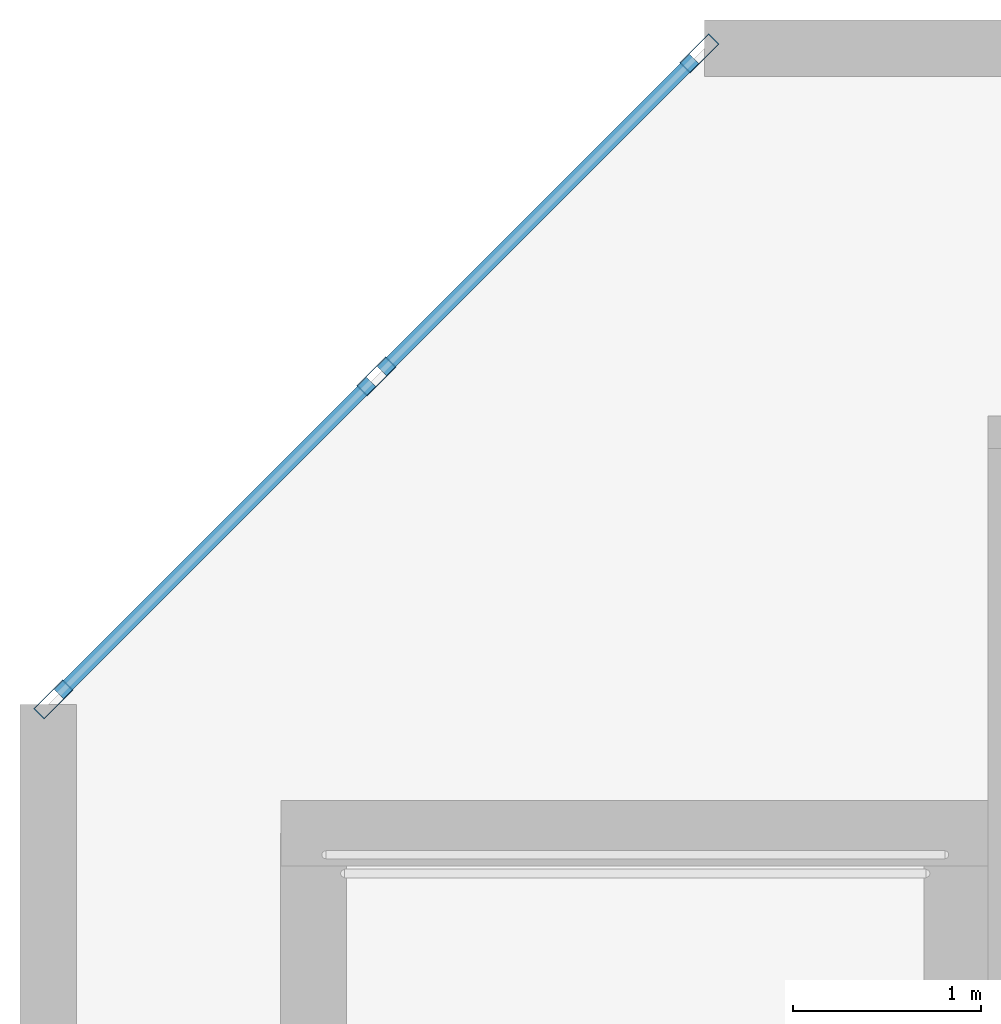
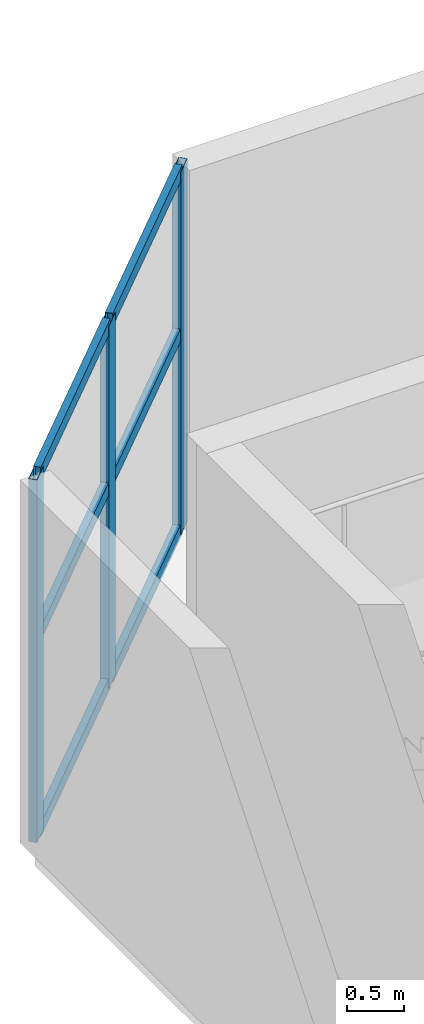
# One storey, part 5 of 20: 9 members, 1 element without a shape of its own.
"""IFC4 building model written with IfcOpenShell, lengths in metres."""

from ifc_helpers import new_model, si_unit, direction, frame, origin, origin_2d, place, context, subcontext, project, spatial, hollow_rectangle, extrude, material, layer, layer_set, material_profile, profile_set, type_object, element, aggregate, save


model = new_model("IFC4")

# Units and contexts
model_context = context("Model", 3, precision=1e-05, world=origin(), true_north=direction((0.0, 1.0)))
body_context = subcontext(model_context, "Body", "Model", "MODEL_VIEW")
ifc_project = project(units=[si_unit("LENGTHUNIT", "METRE"), si_unit("AREAUNIT", "SQUARE_METRE"), si_unit("VOLUMEUNIT", "CUBIC_METRE"), si_unit("PLANEANGLEUNIT", "RADIAN"), si_unit("MASSUNIT", "GRAM", prefix="KILO")], contexts=[model_context])

# Site, building, storey
site_placement = place(None, origin())
site = spatial("IfcSite", under=ifc_project, at=site_placement, CompositionType="ELEMENT")
building_placement = place(site_placement, origin())
building = spatial("IfcBuilding", under=site, at=building_placement, Name="Cununo Teusaquillo Station Towers", CompositionType="ELEMENT")
storey_placement = place(building_placement, frame((0.0, 0.0, 4.800048828125)))
storey = spatial("IfcBuildingStorey", under=building, at=storey_placement, Name="L01", CompositionType="ELEMENT", Elevation=4.800048828125)

# Curtain wall, members
ifc_material_1 = material(Name="Ceramic-fritted dark low-E double glazing", Category="glass")
ifc_layer = layer(ifc_material_1, 0.179931640625)
ifc_layer_set = layer_set([ifc_layer], Name="Ceramic-fritted dark low-E double glazing")
curtain_wall_type = type_object("IfcCurtainWallType", Name="CW-SYS-01", PredefinedType="USERDEFINED", material=ifc_layer_set)
curtain_wall_placement = place(storey_placement, origin())
curtain_wall = element("IfcCurtainWall", 1, at=curtain_wall_placement, inside=storey, type_object=curtain_wall_type, Name="L01 Station Podium Corner Curtain Wall 2", ObjectType="FRITTED GLAZING", PredefinedType="USERDEFINED")
ifc_material_2 = material(Name="Anodised dark bronze aluminium EN AW-6063-T6", Category="aluminium")
ifc_material_profile_1 = material_profile(ifc_material_2, hollow_rectangle(XDim=0.080078125, YDim=0.219970703125, WallThickness=0.0048828125, at=origin_2d()), Name="CW-MULL-80x220")
ifc_profile_set_1 = profile_set([ifc_material_profile_1], Name="Anodised dark bronze aluminium EN AW-6063-T6")
member_type_1 = type_object("IfcMemberType", Name="CWM-220", PredefinedType="MULLION", material=ifc_profile_set_1)
member_1_placement = place(storey_placement, frame((0.328369140625, 44.5283203125, 0.0), z_axis=(0.0, 0.0, 1.0), x_axis=(-0.707106781187, 0.707106781187, 0.0)))
member_1 = element("IfcMember", 2, at=member_1_placement, type_object=member_type_1, Name="CW-01 mullion 1", PredefinedType="MULLION", context=body_context, shape_type="SweptSolid", body=[
    extrude(hollow_rectangle(XDim=0.080078125, YDim=0.219970703125, WallThickness=0.0048828125, at=origin_2d()), origin(), (0.0, 0.0, 1.0), 3.885009765625),
])
member_2_placement = place(storey_placement, frame((2.050048828125, 46.25, 0.0), z_axis=(0.0, 0.0, 1.0), x_axis=(-0.707106781187, 0.707106781187, 0.0)))
member_2 = element("IfcMember", 3, at=member_2_placement, type_object=member_type_1, Name="CW-01 mullion 2", PredefinedType="MULLION", context=body_context, shape_type="SweptSolid", body=[
    extrude(hollow_rectangle(XDim=0.080078125, YDim=0.219970703125, WallThickness=0.0048828125, at=origin_2d()), origin(), (0.0, 0.0, 1.0), 3.885009765625),
])
member_3_placement = place(storey_placement, frame((3.771728515625, 47.9716796875, 0.0), z_axis=(0.0, 0.0, 1.0), x_axis=(-0.707106781187, 0.707106781187, 0.0)))
member_3 = element("IfcMember", 4, at=member_3_placement, type_object=member_type_1, Name="CW-01 mullion 3", PredefinedType="MULLION", context=body_context, shape_type="SweptSolid", body=[
    extrude(hollow_rectangle(XDim=0.080078125, YDim=0.219970703125, WallThickness=0.0048828125, at=origin_2d()), origin(), (0.0, 0.0, 1.0), 3.885009765625),
])
ifc_material_3 = material(Name="Anodised dark bronze aluminium EN AW-6063-T6", Category="aluminium")
ifc_material_profile_2 = material_profile(ifc_material_3, hollow_rectangle(XDim=0.070068359375, YDim=0.139892578125, WallThickness=0.00390625, at=origin_2d()), Name="CW-TRAN-70x140")
ifc_profile_set_2 = profile_set([ifc_material_profile_2], Name="Anodised dark bronze aluminium EN AW-6063-T6")
member_type_2 = type_object("IfcMemberType", Name="CWT-140", PredefinedType="USERDEFINED", material=ifc_profile_set_2)
member_4_placement = place(storey_placement, frame((0.356689453125, 44.556640625, 0.034912109375), z_axis=(0.707106781187, 0.707106781187, 0.0), x_axis=(-0.707106781187, 0.707106781187, 0.0)))
member_4 = element("IfcMember", 5, at=member_4_placement, type_object=member_type_2, Name="CW-01 transom 1.1", ObjectType="TRANSOM", PredefinedType="USERDEFINED", context=body_context, shape_type="SweptSolid", body=[
    extrude(hollow_rectangle(XDim=0.070068359375, YDim=0.139892578125, WallThickness=0.00390625, at=origin_2d()), origin(), (0.0, 0.0, 1.0), 2.354736328125),
])
member_5_placement = place(storey_placement, frame((0.356689453125, 44.556640625, 2.136962890625), z_axis=(0.707106781187, 0.707106781187, 0.0), x_axis=(-0.707106781187, 0.707106781187, 0.0)))
member_5 = element("IfcMember", 6, at=member_5_placement, type_object=member_type_2, Name="CW-01 transom 1.2", ObjectType="TRANSOM", PredefinedType="USERDEFINED", context=body_context, shape_type="SweptSolid", body=[
    extrude(hollow_rectangle(XDim=0.070068359375, YDim=0.139892578125, WallThickness=0.00390625, at=origin_2d()), origin(), (0.0, 0.0, 1.0), 2.354736328125),
])
member_6_placement = place(storey_placement, frame((0.356689453125, 44.556640625, 3.849853515625), z_axis=(0.707106781187, 0.707106781187, 0.0), x_axis=(-0.707106781187, 0.707106781187, 0.0)))
member_6 = element("IfcMember", 7, at=member_6_placement, type_object=member_type_2, Name="CW-01 transom 1.3", ObjectType="TRANSOM", PredefinedType="USERDEFINED", context=body_context, shape_type="SweptSolid", body=[
    extrude(hollow_rectangle(XDim=0.070068359375, YDim=0.139892578125, WallThickness=0.00390625, at=origin_2d()), origin(), (0.0, 0.0, 1.0), 2.354736328125),
])
member_7_placement = place(storey_placement, frame((2.078369140625, 46.2783203125, 0.034912109375), z_axis=(0.707106781187, 0.707106781187, 0.0), x_axis=(-0.707106781187, 0.707106781187, 0.0)))
member_7 = element("IfcMember", 8, at=member_7_placement, type_object=member_type_2, Name="CW-01 transom 2.1", ObjectType="TRANSOM", PredefinedType="USERDEFINED", context=body_context, shape_type="SweptSolid", body=[
    extrude(hollow_rectangle(XDim=0.070068359375, YDim=0.139892578125, WallThickness=0.00390625, at=origin_2d()), origin(), (0.0, 0.0, 1.0), 2.354736328125),
])
member_8_placement = place(storey_placement, frame((2.078369140625, 46.2783203125, 2.136962890625), z_axis=(0.707106781187, 0.707106781187, 0.0), x_axis=(-0.707106781187, 0.707106781187, 0.0)))
member_8 = element("IfcMember", 9, at=member_8_placement, type_object=member_type_2, Name="CW-01 transom 2.2", ObjectType="TRANSOM", PredefinedType="USERDEFINED", context=body_context, shape_type="SweptSolid", body=[
    extrude(hollow_rectangle(XDim=0.070068359375, YDim=0.139892578125, WallThickness=0.00390625, at=origin_2d()), origin(), (0.0, 0.0, 1.0), 2.354736328125),
])
member_9_placement = place(storey_placement, frame((2.078369140625, 46.2783203125, 3.849853515625), z_axis=(0.707106781187, 0.707106781187, 0.0), x_axis=(-0.707106781187, 0.707106781187, 0.0)))
member_9 = element("IfcMember", 10, at=member_9_placement, type_object=member_type_2, Name="CW-01 transom 2.3", ObjectType="TRANSOM", PredefinedType="USERDEFINED", context=body_context, shape_type="SweptSolid", body=[
    extrude(hollow_rectangle(XDim=0.070068359375, YDim=0.139892578125, WallThickness=0.00390625, at=origin_2d()), origin(), (0.0, 0.0, 1.0), 2.354736328125),
])
aggregate(curtain_wall, [member_1, member_2, member_3, member_4, member_5, member_6, member_7, member_8, member_9])

save(model, "model.ifc")
